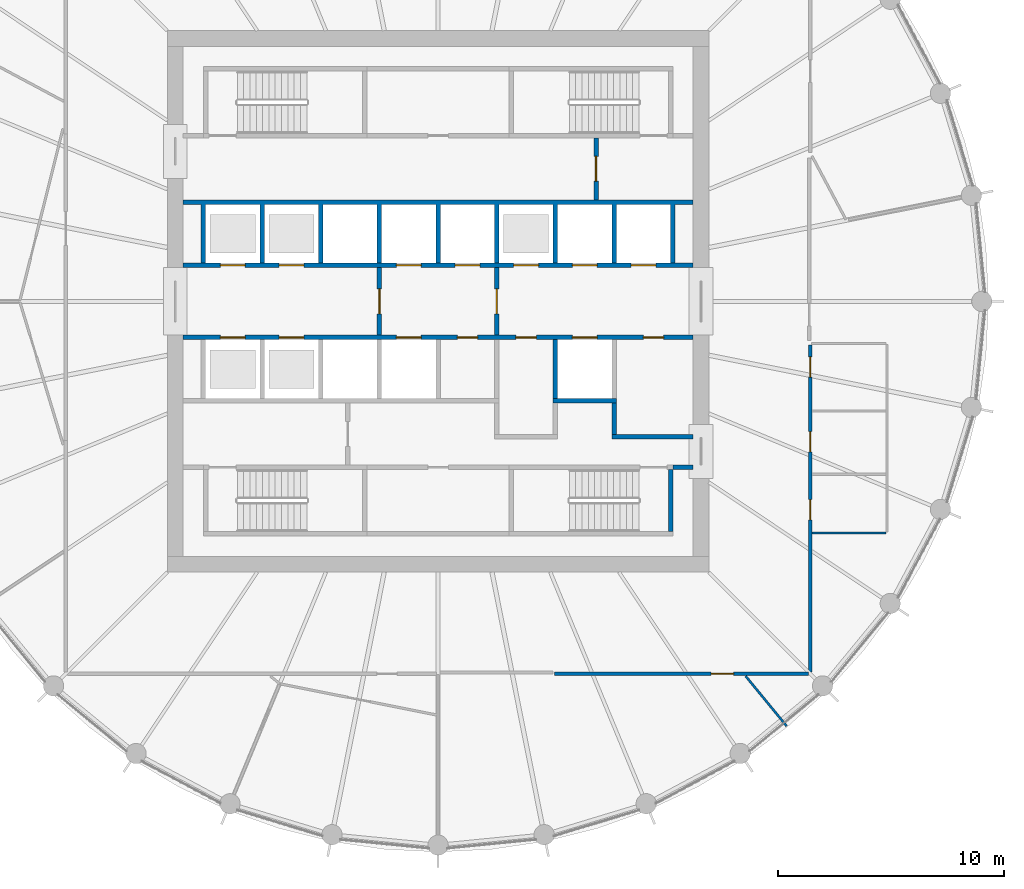
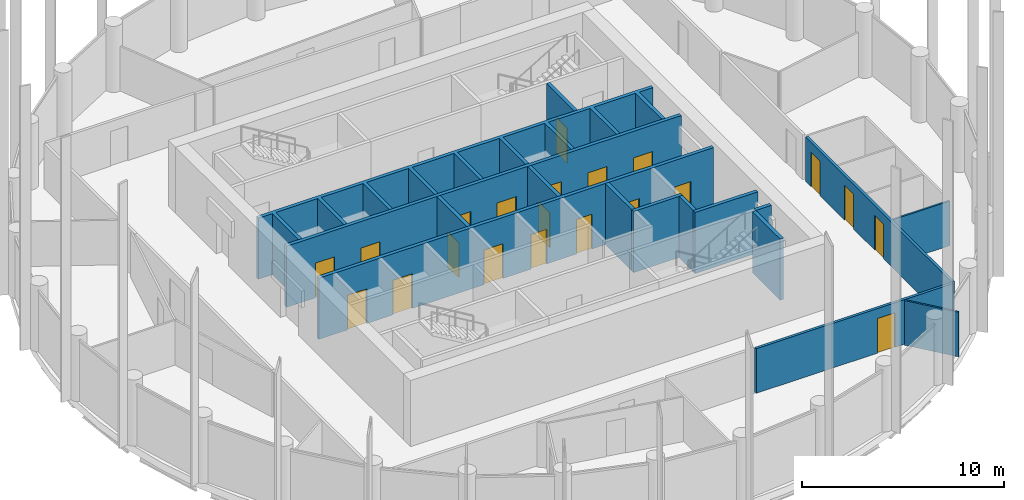
# One storey, part 5 of 9: 21 doors, 16 walls, 21 openings.
"""IFC4 building model written with IfcOpenShell, lengths in metres."""

import ifcopenshell
import ifcopenshell.guid

model = None  # the IFC model being written
_history = None  # IfcOwnerHistory: only IFC2X3 demands one
_inside = {}  # id of a spatial element -> (the spatial element, [elements in it])
_under = {}  # id of a project, library or spatial element -> (it, [spatial elements below it])
_declared = {}  # id of a project -> (the project, [libraries it declares])
_typed = {}  # id of a type object -> (the type object, [elements of that type])
_made_of = {}  # id of a material, layer set ... -> (it, [elements and type objects made of it])


def new_model(schema):
    """Start an empty IFC model of exactly this schema.

    Asked for "IFC4X3", IfcOpenShell would pick the latest addendum, in which some entities
    have other attributes; the version numbers below select the first issue.
    IFC2X3 requires an IfcOwnerHistory on every rooted entity: one is made here for all.
    """
    global model, _history
    if schema == "IFC4X3":
        model = ifcopenshell.file(schema_version=(4, 3, 0, 0))
    else:
        model = ifcopenshell.file(schema=schema)
    _inside.clear()
    _under.clear()
    _declared.clear()
    _typed.clear()
    _made_of.clear()
    _history = None
    if model.schema == "IFC2X3":
        org = make("IfcOrganization", Name="unknown")
        user = make(
            "IfcPersonAndOrganization",
            ThePerson=make("IfcPerson", FamilyName="unknown"),
            TheOrganization=org,
        )
        app = make(
            "IfcApplication",
            ApplicationDeveloper=org,
            Version="unknown",
            ApplicationFullName="unknown",
            ApplicationIdentifier="unknown",
        )
        _history = make(
            "IfcOwnerHistory",
            OwningUser=user,
            OwningApplication=app,
            ChangeAction="ADDED",
            CreationDate=0,
        )
    return model


def make(cls, **values):
    """One entity of the class cls with the attributes given. An attribute that is None is left unset."""
    return model.create_entity(
        cls, **{name: value for name, value in values.items() if value is not None}
    )


def rooted(cls, **values):
    """An entity with a GlobalId (a new one), such as an element, a storey or a relation."""
    return make(cls, GlobalId=ifcopenshell.guid.new(), OwnerHistory=_history, **values)


def si_unit(unit_type, name, prefix=None):
    """IfcSIUnit, for example si_unit("LENGTHUNIT", "METRE", prefix="MILLI")."""
    return make("IfcSIUnit", UnitType=unit_type, Prefix=prefix, Name=name)


def assignment(units):
    """IfcUnitAssignment: the units of a project."""
    return None if units is None else make("IfcUnitAssignment", Units=units)


def point(xyz):
    """IfcCartesianPoint."""
    return None if xyz is None else make("IfcCartesianPoint", Coordinates=xyz)


def direction(xyz):
    """IfcDirection."""
    return None if xyz is None else make("IfcDirection", DirectionRatios=xyz)


def frame(location, z_axis=None, x_axis=None):
    """IfcAxis2Placement3D, a coordinate frame: its origin and axes. An axis left out is left unset."""
    return make(
        "IfcAxis2Placement3D",
        Location=point(location),
        Axis=direction(z_axis),
        RefDirection=direction(x_axis),
    )


def frame_2d(location, x_axis=None):
    """IfcAxis2Placement2D, a coordinate frame in the plane: its origin and x axis."""
    return make(
        "IfcAxis2Placement2D", Location=point(location), RefDirection=direction(x_axis)
    )


def origin():
    """The frame at (0, 0, 0) with its axes left unset."""
    return frame((0.0, 0.0, 0.0))


def place(relative_to, where):
    """IfcLocalPlacement: puts the frame where relative to a parent placement (None: the world)."""
    return make(
        "IfcLocalPlacement", PlacementRelTo=relative_to, RelativePlacement=where
    )


def context(
    kind, dimensions, precision=None, world=None, true_north=None, identifier=None
):
    """IfcGeometricRepresentationContext, for example the 3D "Model" context."""
    return make(
        "IfcGeometricRepresentationContext",
        ContextIdentifier=identifier,
        ContextType=kind,
        CoordinateSpaceDimension=dimensions,
        Precision=precision,
        WorldCoordinateSystem=world,
        TrueNorth=true_north,
    )


def subcontext(parent, identifier, kind, view, scale=None):
    """IfcGeometricRepresentationSubContext, for example "Body" below "Model"."""
    return make(
        "IfcGeometricRepresentationSubContext",
        ContextIdentifier=identifier,
        ContextType=kind,
        ParentContext=parent,
        TargetScale=scale,
        TargetView=view,
    )


def project(units=None, contexts=None):
    """IfcProject with its units and contexts."""
    return rooted(
        "IfcProject",
        Name="project",
        RepresentationContexts=contexts,
        UnitsInContext=assignment(units),
    )


def spatial(cls, under=None, at=None, **own):
    """A site, building, storey or space (cls), placed at a placement, below another one or the project."""
    s = rooted(cls, ObjectPlacement=at, **own)
    if under is not None:
        _under.setdefault(under.id(), (under, []))[1].append(s)
    return s


def polyline(points):
    """IfcPolyline through the points."""
    return make("IfcPolyline", Points=[point(p) for p in points])


def profile(cls, at=None, kind="AREA", **sizes):
    """A parametric profile (cls). Its sizes go by their IFC names, for example OverallWidth=200.0."""
    return make(cls, ProfileType=kind, Position=at, **sizes)


def rectangle(**sizes):
    """IfcRectangleProfileDef."""
    return profile("IfcRectangleProfileDef", **sizes)


def outline(outer, holes=None, kind="AREA"):
    """IfcArbitraryClosedProfileDef: a profile drawn as a closed curve; with holes, ...WithVoids."""
    if holes is None:
        return make("IfcArbitraryClosedProfileDef", ProfileType=kind, OuterCurve=outer)
    return make(
        "IfcArbitraryProfileDefWithVoids",
        ProfileType=kind,
        OuterCurve=outer,
        InnerCurves=holes,
    )


def extrude(swept, where, along, depth):
    """IfcExtrudedAreaSolid: the profile swept, set in the frame where, extruded along a direction by depth."""
    return make(
        "IfcExtrudedAreaSolid",
        SweptArea=swept,
        Position=where,
        ExtrudedDirection=direction(along),
        Depth=depth,
    )


def shape(context_of_items, identifier, shape_type, items):
    """IfcShapeRepresentation: the items that make up one representation, for example the "Body"."""
    return make(
        "IfcShapeRepresentation",
        ContextOfItems=context_of_items,
        RepresentationIdentifier=identifier,
        RepresentationType=shape_type,
        Items=items,
    )


def material(Name=None, Category=None):
    """IfcMaterial."""
    return make("IfcMaterial", Name=Name, Category=Category)


def layer(
    of_material, thickness, ventilated=None, Name=None, Category=None, Priority=None
):
    """IfcMaterialLayer: one layer of a wall or slab, of a material (None: an air gap)."""
    return make(
        "IfcMaterialLayer",
        Material=of_material,
        LayerThickness=thickness,
        IsVentilated=ventilated,
        Name=Name,
        Category=Category,
        Priority=Priority,
    )


def layer_set(layers, Name=None):
    """IfcMaterialLayerSet."""
    return make("IfcMaterialLayerSet", MaterialLayers=layers, LayerSetName=Name)


def made_of(thing, what):
    """Note that an element or type object is made of a material, layer set ...; save() writes the relation."""
    if what is not None:
        _made_of.setdefault(what.id(), (what, []))[1].append(thing)
    return thing


def type_object(cls, material=None, **own):
    """A type object (cls), such as IfcWallType, which elements share."""
    return made_of(rooted(cls, **own), material)


def element(
    cls,
    number,
    at=None,
    inside=None,
    cuts=None,
    type_object=None,
    material=None,
    context=None,
    identifier="Body",
    shape_type=None,
    held_by="IfcProductDefinitionShape",
    body=None,
    shapes=None,
    **own,
):
    """One element of the class cls, such as IfcWall. Its Tag is "e" and its number.

    at: its placement. inside: the storey or other place that contains it. cuts: it is an
    opening in that element (IfcRelVoidsElement). A single representation is given by context,
    identifier, shape_type and body (its items); several are given by shapes. held_by: the class
    of the entity that holds the representations. save() writes the other relations.
    """
    e = rooted(cls, Tag="e%d" % number, ObjectPlacement=at, **own)
    if body is not None:
        shapes = [shape(context, identifier, shape_type, body)]
    if shapes is not None:
        e.Representation = make(held_by, Representations=shapes)
    if inside is not None:
        _inside.setdefault(inside.id(), (inside, []))[1].append(e)
    if cuts is not None:
        rooted(
            "IfcRelVoidsElement", RelatingBuildingElement=cuts, RelatedOpeningElement=e
        )
    if type_object is not None:
        _typed.setdefault(type_object.id(), (type_object, []))[1].append(e)
    return made_of(e, material)


def fill(opening, filler):
    """IfcRelFillsElement: the door or window that sits in an opening."""
    return rooted(
        "IfcRelFillsElement",
        RelatingOpeningElement=opening,
        RelatedBuildingElement=filler,
    )


def aggregate(whole, parts):
    """IfcRelAggregates: a whole, such as a stair, and the parts it consists of."""
    return rooted("IfcRelAggregates", RelatingObject=whole, RelatedObjects=parts)


def save(model, path):
    """Write the relations noted so far, then the file.

    IfcRelAggregates (storeys below a building ...), IfcRelContainedInSpatialStructure (elements
    in a storey), IfcRelDefinesByType, IfcRelAssociatesMaterial and IfcRelDeclares: one each for
    every whole, place, type object, material and project.
    """
    for whole, parts in _under.values():
        aggregate(whole, parts)
    for where, things in _inside.values():
        rooted(
            "IfcRelContainedInSpatialStructure",
            RelatedElements=things,
            RelatingStructure=where,
        )
    for kind, things in _typed.values():
        rooted("IfcRelDefinesByType", RelatedObjects=things, RelatingType=kind)
    for what, things in _made_of.values():
        rooted("IfcRelAssociatesMaterial", RelatedObjects=things, RelatingMaterial=what)
    for by, libraries in _declared.values():
        rooted("IfcRelDeclares", RelatingContext=by, RelatedDefinitions=libraries)
    model.write(path)


model = new_model("IFC4")

# Units and contexts
model_context = context("Model", 3, precision=1e-05, world=origin(), true_north=direction((0.0, 1.0)))
body_context = subcontext(model_context, "Body", "Model", "MODEL_VIEW")
ifc_project = project(units=[si_unit("LENGTHUNIT", "METRE"), si_unit("AREAUNIT", "SQUARE_METRE"), si_unit("VOLUMEUNIT", "CUBIC_METRE"), si_unit("PLANEANGLEUNIT", "RADIAN"), si_unit("MASSUNIT", "GRAM", prefix="KILO")], contexts=[model_context])

# Site, building, storey
site_placement = place(None, origin())
site = spatial("IfcSite", under=ifc_project, at=site_placement, CompositionType="ELEMENT")
building_placement = place(site_placement, origin())
building = spatial("IfcBuilding", under=site, at=building_placement, Name="Corvane Civic Tower", CompositionType="ELEMENT")
storey_placement = place(building_placement, frame((0.0, 0.0, 263.0)))
storey = spatial("IfcBuildingStorey", under=building, at=storey_placement, Name="L62", CompositionType="ELEMENT", Elevation=263.0)

# Wall, openings, doors
ifc_material_1 = material(Name="Concrete C30/37", Category="concrete")
ifc_layer_1 = layer(ifc_material_1, 0.199951171875)
ifc_layer_set_1 = layer_set([ifc_layer_1], Name="Concrete C30/37")
wall_type_1 = type_object("IfcWallType", Name="CR-WALL-200", PredefinedType="PARTITIONING", material=ifc_layer_set_1)
wall_1_placement = place(storey_placement, frame((-11.300048828125, -1.60009765625, 0.0), z_axis=(0.0, 0.0, 1.0), x_axis=(1.0, 0.0, 0.0)))
wall_1 = element("IfcWall", 1, at=wall_1_placement, inside=storey, type_object=wall_type_1, Name="L62 lift shaft wall", PredefinedType="PARTITIONING", context=body_context, shape_type="SweptSolid", body=[
    extrude(rectangle(XDim=22.60009765625, YDim=0.199951171875, at=frame_2d((11.300048828125, 0.0))), origin(), (0.0, 0.0, 1.0), 3.699951171875),
])
opening_1_placement = place(wall_1_placement, frame((1.64990234375, 0.0, 0.0)))
opening_1 = element("IfcOpeningElement", 2, at=opening_1_placement, cuts=wall_1, Name="Opening LD", PredefinedType="OPENING", context=body_context, shape_type="SweptSolid", body=[
    extrude(rectangle(XDim=1.10009765625, YDim=2.10009765625, at=frame_2d((0.550048828125, 1.050048828125))), frame((0.0, 0.10986328125, 0.0), z_axis=(0.0, -1.0, 0.0), x_axis=(1.0, 0.0, 0.0)), (0.0, 0.0, 1.0), 0.219970703125),
])
opening_2_placement = place(wall_1_placement, frame((4.25, 0.0, 0.0)))
opening_2 = element("IfcOpeningElement", 3, at=opening_2_placement, cuts=wall_1, Name="Opening LD", PredefinedType="OPENING", context=body_context, shape_type="SweptSolid", body=[
    extrude(rectangle(XDim=1.10009765625, YDim=2.10009765625, at=frame_2d((0.550048828125, 1.050048828125))), frame((0.0, 0.10986328125, 0.0), z_axis=(0.0, -1.0, 0.0), x_axis=(1.0, 0.0, 0.0)), (0.0, 0.0, 1.0), 0.219970703125),
])
opening_3_placement = place(wall_1_placement, frame((9.449951171875, 0.0, 0.0)))
opening_3 = element("IfcOpeningElement", 4, at=opening_3_placement, cuts=wall_1, Name="Opening LD", PredefinedType="OPENING", context=body_context, shape_type="SweptSolid", body=[
    extrude(rectangle(XDim=1.10009765625, YDim=2.10009765625, at=frame_2d((0.550048828125, 1.050048828125))), frame((0.0, 0.10986328125, 0.0), z_axis=(0.0, -1.0, 0.0), x_axis=(1.0, 0.0, 0.0)), (0.0, 0.0, 1.0), 0.219970703125),
])
opening_4_placement = place(wall_1_placement, frame((12.14990234375, 0.0, 0.0)))
opening_4 = element("IfcOpeningElement", 5, at=opening_4_placement, cuts=wall_1, Name="Opening L62.C01", PredefinedType="OPENING", context=body_context, shape_type="SweptSolid", body=[
    extrude(rectangle(XDim=0.89990234375, YDim=2.10009765625, at=frame_2d((0.449951171875, 1.050048828125))), frame((0.0, 0.10986328125, 0.0), z_axis=(0.0, -1.0, 0.0), x_axis=(1.0, 0.0, 0.0)), (0.0, 0.0, 1.0), 0.219970703125),
])
opening_5_placement = place(wall_1_placement, frame((17.25, 0.0, 0.0)))
opening_5 = element("IfcOpeningElement", 6, at=opening_5_placement, cuts=wall_1, Name="Opening LD", PredefinedType="OPENING", context=body_context, shape_type="SweptSolid", body=[
    extrude(rectangle(XDim=1.10009765625, YDim=2.10009765625, at=frame_2d((0.550048828125, 1.050048828125))), frame((0.0, 0.10986328125, 0.0), z_axis=(0.0, -1.0, 0.0), x_axis=(1.0, 0.0, 0.0)), (0.0, 0.0, 1.0), 0.219970703125),
])
opening_6_placement = place(wall_1_placement, frame((14.75, 0.0, 0.0)))
opening_6 = element("IfcOpeningElement", 7, at=opening_6_placement, cuts=wall_1, Name="Opening L62.C02", PredefinedType="OPENING", context=body_context, shape_type="SweptSolid", body=[
    extrude(rectangle(XDim=0.89990234375, YDim=2.10009765625, at=frame_2d((0.449951171875, 1.050048828125))), frame((0.0, 0.10986328125, 0.0), z_axis=(0.0, -1.0, 0.0), x_axis=(1.0, 0.0, 0.0)), (0.0, 0.0, 1.0), 0.219970703125),
])
opening_7_placement = place(wall_1_placement, frame((20.39990234375, 0.0, 0.0)))
opening_7 = element("IfcOpeningElement", 8, at=opening_7_placement, cuts=wall_1, Name="Opening L62.C03", PredefinedType="OPENING", context=body_context, shape_type="SweptSolid", body=[
    extrude(rectangle(XDim=0.89990234375, YDim=2.10009765625, at=frame_2d((0.449951171875, 1.050048828125))), frame((0.0, 0.10986328125, 0.0), z_axis=(0.0, -1.0, 0.0), x_axis=(1.0, 0.0, 0.0)), (0.0, 0.0, 1.0), 0.219970703125),
])
ifc_material_2 = material(Name="Steel fire door leaf", Category="steel")
door_type_1 = type_object("IfcDoorType", Name="CR-DOOR-900", OperationType="SINGLE_SWING_LEFT", PredefinedType="DOOR", material=ifc_material_2)
door_1_placement = place(opening_4_placement, origin())
door_1 = element("IfcDoor", 9, at=door_1_placement, inside=storey, type_object=door_type_1, Name="L62 door", OperationType="SINGLE_SWING_LEFT", OverallHeight=2.10009765625, OverallWidth=0.89990234375, PredefinedType="DOOR", context=body_context, shape_type="SweptSolid", body=[
    extrude(rectangle(XDim=0.89990234375, YDim=2.10009765625, at=frame_2d((0.449951171875, 1.050048828125))), frame((0.0, 0.02490234375, 0.0), z_axis=(0.0, -1.0, 0.0), x_axis=(1.0, 0.0, 0.0)), (0.0, 0.0, 1.0), 0.050048828125),
])
fill(opening_4, door_1)
door_2_placement = place(opening_6_placement, origin())
door_2 = element("IfcDoor", 10, at=door_2_placement, inside=storey, type_object=door_type_1, Name="L62 door", OperationType="SINGLE_SWING_LEFT", OverallHeight=2.10009765625, OverallWidth=0.89990234375, PredefinedType="DOOR", context=body_context, shape_type="SweptSolid", body=[
    extrude(rectangle(XDim=0.89990234375, YDim=2.10009765625, at=frame_2d((0.449951171875, 1.050048828125))), frame((0.0, 0.02490234375, 0.0), z_axis=(0.0, -1.0, 0.0), x_axis=(1.0, 0.0, 0.0)), (0.0, 0.0, 1.0), 0.050048828125),
])
fill(opening_6, door_2)
door_3_placement = place(opening_7_placement, origin())
door_3 = element("IfcDoor", 11, at=door_3_placement, inside=storey, type_object=door_type_1, Name="L62 door", OperationType="SINGLE_SWING_LEFT", OverallHeight=2.10009765625, OverallWidth=0.89990234375, PredefinedType="DOOR", context=body_context, shape_type="SweptSolid", body=[
    extrude(rectangle(XDim=0.89990234375, YDim=2.10009765625, at=frame_2d((0.449951171875, 1.050048828125))), frame((0.0, 0.02490234375, 0.0), z_axis=(0.0, -1.0, 0.0), x_axis=(1.0, 0.0, 0.0)), (0.0, 0.0, 1.0), 0.050048828125),
])
fill(opening_7, door_3)
ifc_material_3 = material(Name="Stainless steel 316 door leaves", Category="steel")
door_type_2 = type_object("IfcDoorType", Name="LD", OperationType="DOUBLE_DOOR_SLIDING", PredefinedType="DOOR", material=ifc_material_3)
door_4_placement = place(opening_1_placement, origin())
door_4 = element("IfcDoor", 12, at=door_4_placement, inside=storey, type_object=door_type_2, Name="L62 landing door", OperationType="DOUBLE_DOOR_SLIDING", OverallHeight=2.10009765625, OverallWidth=1.10009765625, PredefinedType="DOOR", context=body_context, shape_type="SweptSolid", body=[
    extrude(rectangle(XDim=1.10009765625, YDim=2.10009765625, at=frame_2d((0.550048828125, 1.050048828125))), frame((0.0, 0.02490234375, 0.0), z_axis=(0.0, -1.0, 0.0), x_axis=(1.0, 0.0, 0.0)), (0.0, 0.0, 1.0), 0.050048828125),
])
fill(opening_1, door_4)
door_5_placement = place(opening_2_placement, origin())
door_5 = element("IfcDoor", 13, at=door_5_placement, inside=storey, type_object=door_type_2, Name="L62 landing door", OperationType="DOUBLE_DOOR_SLIDING", OverallHeight=2.10009765625, OverallWidth=1.10009765625, PredefinedType="DOOR", context=body_context, shape_type="SweptSolid", body=[
    extrude(rectangle(XDim=1.10009765625, YDim=2.10009765625, at=frame_2d((0.550048828125, 1.050048828125))), frame((0.0, 0.02490234375, 0.0), z_axis=(0.0, -1.0, 0.0), x_axis=(1.0, 0.0, 0.0)), (0.0, 0.0, 1.0), 0.050048828125),
])
fill(opening_2, door_5)
door_6_placement = place(opening_3_placement, origin())
door_6 = element("IfcDoor", 14, at=door_6_placement, inside=storey, type_object=door_type_2, Name="L62 landing door", OperationType="DOUBLE_DOOR_SLIDING", OverallHeight=2.10009765625, OverallWidth=1.10009765625, PredefinedType="DOOR", context=body_context, shape_type="SweptSolid", body=[
    extrude(rectangle(XDim=1.10009765625, YDim=2.10009765625, at=frame_2d((0.550048828125, 1.050048828125))), frame((0.0, 0.02490234375, 0.0), z_axis=(0.0, -1.0, 0.0), x_axis=(1.0, 0.0, 0.0)), (0.0, 0.0, 1.0), 0.050048828125),
])
fill(opening_3, door_6)
door_7_placement = place(opening_5_placement, origin())
door_7 = element("IfcDoor", 15, at=door_7_placement, inside=storey, type_object=door_type_2, Name="L62 landing door", OperationType="DOUBLE_DOOR_SLIDING", OverallHeight=2.10009765625, OverallWidth=1.10009765625, PredefinedType="DOOR", context=body_context, shape_type="SweptSolid", body=[
    extrude(rectangle(XDim=1.10009765625, YDim=2.10009765625, at=frame_2d((0.550048828125, 1.050048828125))), frame((0.0, 0.02490234375, 0.0), z_axis=(0.0, -1.0, 0.0), x_axis=(1.0, 0.0, 0.0)), (0.0, 0.0, 1.0), 0.050048828125),
])
fill(opening_5, door_7)

wall_2_placement = place(storey_placement, frame((-11.300048828125, 1.60009765625, 0.0), z_axis=(0.0, 0.0, 1.0), x_axis=(1.0, 0.0, 0.0)))
wall_2 = element("IfcWall", 16, at=wall_2_placement, inside=storey, type_object=wall_type_1, Name="L62 lift shaft wall", PredefinedType="PARTITIONING", context=body_context, shape_type="SweptSolid", body=[
    extrude(rectangle(XDim=22.60009765625, YDim=0.199951171875, at=frame_2d((11.300048828125, 0.0))), origin(), (0.0, 0.0, 1.0), 3.699951171875),
])
opening_8_placement = place(wall_2_placement, frame((1.64990234375, 0.0, 0.0)))
opening_8 = element("IfcOpeningElement", 17, at=opening_8_placement, cuts=wall_2, Name="Opening LD", PredefinedType="OPENING", context=body_context, shape_type="SweptSolid", body=[
    extrude(rectangle(XDim=1.10009765625, YDim=2.10009765625, at=frame_2d((0.550048828125, 1.050048828125))), frame((0.0, 0.10986328125, 0.0), z_axis=(0.0, -1.0, 0.0), x_axis=(1.0, 0.0, 0.0)), (0.0, 0.0, 1.0), 0.219970703125),
])
opening_9_placement = place(wall_2_placement, frame((4.25, 0.0, 0.0)))
opening_9 = element("IfcOpeningElement", 18, at=opening_9_placement, cuts=wall_2, Name="Opening LD", PredefinedType="OPENING", context=body_context, shape_type="SweptSolid", body=[
    extrude(rectangle(XDim=1.10009765625, YDim=2.10009765625, at=frame_2d((0.550048828125, 1.050048828125))), frame((0.0, 0.10986328125, 0.0), z_axis=(0.0, -1.0, 0.0), x_axis=(1.0, 0.0, 0.0)), (0.0, 0.0, 1.0), 0.219970703125),
])
opening_10_placement = place(wall_2_placement, frame((9.449951171875, 0.0, 0.0)))
opening_10 = element("IfcOpeningElement", 19, at=opening_10_placement, cuts=wall_2, Name="Opening LD", PredefinedType="OPENING", context=body_context, shape_type="SweptSolid", body=[
    extrude(rectangle(XDim=1.10009765625, YDim=2.10009765625, at=frame_2d((0.550048828125, 1.050048828125))), frame((0.0, 0.10986328125, 0.0), z_axis=(0.0, -1.0, 0.0), x_axis=(1.0, 0.0, 0.0)), (0.0, 0.0, 1.0), 0.219970703125),
])
opening_11_placement = place(wall_2_placement, frame((12.050048828125, 0.0, 0.0)))
opening_11 = element("IfcOpeningElement", 20, at=opening_11_placement, cuts=wall_2, Name="Opening LD", PredefinedType="OPENING", context=body_context, shape_type="SweptSolid", body=[
    extrude(rectangle(XDim=1.10009765625, YDim=2.10009765625, at=frame_2d((0.550048828125, 1.050048828125))), frame((0.0, 0.10986328125, 0.0), z_axis=(0.0, -1.0, 0.0), x_axis=(1.0, 0.0, 0.0)), (0.0, 0.0, 1.0), 0.219970703125),
])
opening_12_placement = place(wall_2_placement, frame((14.64990234375, 0.0, 0.0)))
opening_12 = element("IfcOpeningElement", 21, at=opening_12_placement, cuts=wall_2, Name="Opening LD", PredefinedType="OPENING", context=body_context, shape_type="SweptSolid", body=[
    extrude(rectangle(XDim=1.10009765625, YDim=2.10009765625, at=frame_2d((0.550048828125, 1.050048828125))), frame((0.0, 0.10986328125, 0.0), z_axis=(0.0, -1.0, 0.0), x_axis=(1.0, 0.0, 0.0)), (0.0, 0.0, 1.0), 0.219970703125),
])
opening_13_placement = place(wall_2_placement, frame((17.25, 0.0, 0.0)))
opening_13 = element("IfcOpeningElement", 22, at=opening_13_placement, cuts=wall_2, Name="Opening LD", PredefinedType="OPENING", context=body_context, shape_type="SweptSolid", body=[
    extrude(rectangle(XDim=1.10009765625, YDim=2.10009765625, at=frame_2d((0.550048828125, 1.050048828125))), frame((0.0, 0.10986328125, 0.0), z_axis=(0.0, -1.0, 0.0), x_axis=(1.0, 0.0, 0.0)), (0.0, 0.0, 1.0), 0.219970703125),
])
opening_14_placement = place(wall_2_placement, frame((19.85009765625, 0.0, 0.0)))
opening_14 = element("IfcOpeningElement", 23, at=opening_14_placement, cuts=wall_2, Name="Opening LD", PredefinedType="OPENING", context=body_context, shape_type="SweptSolid", body=[
    extrude(rectangle(XDim=1.10009765625, YDim=2.10009765625, at=frame_2d((0.550048828125, 1.050048828125))), frame((0.0, 0.10986328125, 0.0), z_axis=(0.0, -1.0, 0.0), x_axis=(1.0, 0.0, 0.0)), (0.0, 0.0, 1.0), 0.219970703125),
])
door_8_placement = place(opening_8_placement, origin())
door_8 = element("IfcDoor", 24, at=door_8_placement, inside=storey, type_object=door_type_2, Name="L62 landing door", OperationType="DOUBLE_DOOR_SLIDING", OverallHeight=2.10009765625, OverallWidth=1.10009765625, PredefinedType="DOOR", context=body_context, shape_type="SweptSolid", body=[
    extrude(rectangle(XDim=1.10009765625, YDim=2.10009765625, at=frame_2d((0.550048828125, 1.050048828125))), frame((0.0, 0.02490234375, 0.0), z_axis=(0.0, -1.0, 0.0), x_axis=(1.0, 0.0, 0.0)), (0.0, 0.0, 1.0), 0.050048828125),
])
fill(opening_8, door_8)
door_9_placement = place(opening_9_placement, origin())
door_9 = element("IfcDoor", 25, at=door_9_placement, inside=storey, type_object=door_type_2, Name="L62 landing door", OperationType="DOUBLE_DOOR_SLIDING", OverallHeight=2.10009765625, OverallWidth=1.10009765625, PredefinedType="DOOR", context=body_context, shape_type="SweptSolid", body=[
    extrude(rectangle(XDim=1.10009765625, YDim=2.10009765625, at=frame_2d((0.550048828125, 1.050048828125))), frame((0.0, 0.02490234375, 0.0), z_axis=(0.0, -1.0, 0.0), x_axis=(1.0, 0.0, 0.0)), (0.0, 0.0, 1.0), 0.050048828125),
])
fill(opening_9, door_9)
door_10_placement = place(opening_10_placement, origin())
door_10 = element("IfcDoor", 26, at=door_10_placement, inside=storey, type_object=door_type_2, Name="L62 landing door", OperationType="DOUBLE_DOOR_SLIDING", OverallHeight=2.10009765625, OverallWidth=1.10009765625, PredefinedType="DOOR", context=body_context, shape_type="SweptSolid", body=[
    extrude(rectangle(XDim=1.10009765625, YDim=2.10009765625, at=frame_2d((0.550048828125, 1.050048828125))), frame((0.0, 0.02490234375, 0.0), z_axis=(0.0, -1.0, 0.0), x_axis=(1.0, 0.0, 0.0)), (0.0, 0.0, 1.0), 0.050048828125),
])
fill(opening_10, door_10)
door_11_placement = place(opening_11_placement, origin())
door_11 = element("IfcDoor", 27, at=door_11_placement, inside=storey, type_object=door_type_2, Name="L62 landing door", OperationType="DOUBLE_DOOR_SLIDING", OverallHeight=2.10009765625, OverallWidth=1.10009765625, PredefinedType="DOOR", context=body_context, shape_type="SweptSolid", body=[
    extrude(rectangle(XDim=1.10009765625, YDim=2.10009765625, at=frame_2d((0.550048828125, 1.050048828125))), frame((0.0, 0.02490234375, 0.0), z_axis=(0.0, -1.0, 0.0), x_axis=(1.0, 0.0, 0.0)), (0.0, 0.0, 1.0), 0.050048828125),
])
fill(opening_11, door_11)
door_12_placement = place(opening_12_placement, origin())
door_12 = element("IfcDoor", 28, at=door_12_placement, inside=storey, type_object=door_type_2, Name="L62 landing door", OperationType="DOUBLE_DOOR_SLIDING", OverallHeight=2.10009765625, OverallWidth=1.10009765625, PredefinedType="DOOR", context=body_context, shape_type="SweptSolid", body=[
    extrude(rectangle(XDim=1.10009765625, YDim=2.10009765625, at=frame_2d((0.550048828125, 1.050048828125))), frame((0.0, 0.02490234375, 0.0), z_axis=(0.0, -1.0, 0.0), x_axis=(1.0, 0.0, 0.0)), (0.0, 0.0, 1.0), 0.050048828125),
])
fill(opening_12, door_12)
door_13_placement = place(opening_13_placement, origin())
door_13 = element("IfcDoor", 29, at=door_13_placement, inside=storey, type_object=door_type_2, Name="L62 landing door", OperationType="DOUBLE_DOOR_SLIDING", OverallHeight=2.10009765625, OverallWidth=1.10009765625, PredefinedType="DOOR", context=body_context, shape_type="SweptSolid", body=[
    extrude(rectangle(XDim=1.10009765625, YDim=2.10009765625, at=frame_2d((0.550048828125, 1.050048828125))), frame((0.0, 0.02490234375, 0.0), z_axis=(0.0, -1.0, 0.0), x_axis=(1.0, 0.0, 0.0)), (0.0, 0.0, 1.0), 0.050048828125),
])
fill(opening_13, door_13)
door_14_placement = place(opening_14_placement, origin())
door_14 = element("IfcDoor", 30, at=door_14_placement, inside=storey, type_object=door_type_2, Name="L62 landing door", OperationType="DOUBLE_DOOR_SLIDING", OverallHeight=2.10009765625, OverallWidth=1.10009765625, PredefinedType="DOOR", context=body_context, shape_type="SweptSolid", body=[
    extrude(rectangle(XDim=1.10009765625, YDim=2.10009765625, at=frame_2d((0.550048828125, 1.050048828125))), frame((0.0, 0.02490234375, 0.0), z_axis=(0.0, -1.0, 0.0), x_axis=(1.0, 0.0, 0.0)), (0.0, 0.0, 1.0), 0.050048828125),
])
fill(opening_14, door_14)

# Wall, opening, door
wall_3_placement = place(storey_placement, frame((-2.60009765625, -1.5, 0.0), z_axis=(0.0, 0.0, 1.0), x_axis=(0.0, 1.0, 0.0)))
wall_3 = element("IfcWall", 31, at=wall_3_placement, inside=storey, type_object=wall_type_1, Name="L62 firefighting lobby wall", PredefinedType="PARTITIONING", context=body_context, shape_type="SweptSolid", body=[
    extrude(rectangle(XDim=3.0, YDim=0.199951171875, at=frame_2d((1.5, 0.0))), origin(), (0.0, 0.0, 1.0), 3.699951171875),
])
opening_15_placement = place(wall_3_placement, frame((0.949951171875, 0.0, 0.0)))
opening_15 = element("IfcOpeningElement", 32, at=opening_15_placement, cuts=wall_3, Name="Opening L62.C10", PredefinedType="OPENING", context=body_context, shape_type="SweptSolid", body=[
    extrude(rectangle(XDim=1.10009765625, YDim=2.10009765625, at=frame_2d((0.550048828125, 1.050048828125))), frame((0.0, 0.10986328125, 0.0), z_axis=(0.0, -1.0, 0.0), x_axis=(1.0, 0.0, 0.0)), (0.0, 0.0, 1.0), 0.219970703125),
])
ifc_material_4 = material(Name="Steel fire door leaf", Category="steel")
door_type_3 = type_object("IfcDoorType", Name="CR-DOOR-FFL-1100", OperationType="SINGLE_SWING_LEFT", PredefinedType="DOOR", material=ifc_material_4)
door_15_placement = place(opening_15_placement, origin())
door_15 = element("IfcDoor", 33, at=door_15_placement, inside=storey, type_object=door_type_3, Name="L62 lobby door", OperationType="SINGLE_SWING_LEFT", OverallHeight=2.10009765625, OverallWidth=1.10009765625, PredefinedType="DOOR", context=body_context, shape_type="SweptSolid", body=[
    extrude(rectangle(XDim=1.10009765625, YDim=2.10009765625, at=frame_2d((0.550048828125, 1.050048828125))), frame((0.0, 0.02490234375, 0.0), z_axis=(0.0, -1.0, 0.0), x_axis=(1.0, 0.0, 0.0)), (0.0, 0.0, 1.0), 0.050048828125),
])
fill(opening_15, door_15)

wall_4_placement = place(storey_placement, frame((2.60009765625, -1.5, 0.0), z_axis=(0.0, 0.0, 1.0), x_axis=(0.0, 1.0, 0.0)))
wall_4 = element("IfcWall", 34, at=wall_4_placement, inside=storey, type_object=wall_type_1, Name="L62 firefighting lobby wall", PredefinedType="PARTITIONING", context=body_context, shape_type="SweptSolid", body=[
    extrude(rectangle(XDim=3.0, YDim=0.199951171875, at=frame_2d((1.5, 0.0))), origin(), (0.0, 0.0, 1.0), 3.699951171875),
])
opening_16_placement = place(wall_4_placement, frame((0.949951171875, 0.0, 0.0)))
opening_16 = element("IfcOpeningElement", 35, at=opening_16_placement, cuts=wall_4, Name="Opening L62.C11", PredefinedType="OPENING", context=body_context, shape_type="SweptSolid", body=[
    extrude(rectangle(XDim=1.10009765625, YDim=2.10009765625, at=frame_2d((0.550048828125, 1.050048828125))), frame((0.0, 0.10986328125, 0.0), z_axis=(0.0, -1.0, 0.0), x_axis=(1.0, 0.0, 0.0)), (0.0, 0.0, 1.0), 0.219970703125),
])
door_16_placement = place(opening_16_placement, origin())
door_16 = element("IfcDoor", 36, at=door_16_placement, inside=storey, type_object=door_type_3, Name="L62 lobby door", OperationType="SINGLE_SWING_LEFT", OverallHeight=2.10009765625, OverallWidth=1.10009765625, PredefinedType="DOOR", context=body_context, shape_type="SweptSolid", body=[
    extrude(rectangle(XDim=1.10009765625, YDim=2.10009765625, at=frame_2d((0.550048828125, 1.050048828125))), frame((0.0, 0.02490234375, 0.0), z_axis=(0.0, -1.0, 0.0), x_axis=(1.0, 0.0, 0.0)), (0.0, 0.0, 1.0), 0.050048828125),
])
fill(opening_16, door_16)

wall_5_placement = place(storey_placement, frame((7.0, 4.5, 0.0), z_axis=(0.0, 0.0, 1.0), x_axis=(0.0, 1.0, 0.0)))
wall_5 = element("IfcWall", 37, at=wall_5_placement, inside=storey, type_object=wall_type_1, Name="L62 core partition wall", PredefinedType="PARTITIONING", context=body_context, shape_type="SweptSolid", body=[
    extrude(rectangle(XDim=2.75, YDim=0.199951171875, at=frame_2d((1.375, 0.0))), origin(), (0.0, 0.0, 1.0), 3.699951171875),
])
opening_17_placement = place(wall_5_placement, frame((0.824951171875, 0.0, 0.0)))
opening_17 = element("IfcOpeningElement", 38, at=opening_17_placement, cuts=wall_5, Name="Opening L62.C12", PredefinedType="OPENING", context=body_context, shape_type="SweptSolid", body=[
    extrude(rectangle(XDim=1.10009765625, YDim=2.10009765625, at=frame_2d((0.550048828125, 1.050048828125))), frame((0.0, 0.10986328125, 0.0), z_axis=(0.0, -1.0, 0.0), x_axis=(1.0, 0.0, 0.0)), (0.0, 0.0, 1.0), 0.219970703125),
])
door_17_placement = place(opening_17_placement, origin())
door_17 = element("IfcDoor", 39, at=door_17_placement, inside=storey, type_object=door_type_3, Name="L62 lobby door", OperationType="SINGLE_SWING_LEFT", OverallHeight=2.10009765625, OverallWidth=1.10009765625, PredefinedType="DOOR", context=body_context, shape_type="SweptSolid", body=[
    extrude(rectangle(XDim=1.10009765625, YDim=2.10009765625, at=frame_2d((0.550048828125, 1.050048828125))), frame((0.0, 0.02490234375, 0.0), z_axis=(0.0, -1.0, 0.0), x_axis=(1.0, 0.0, 0.0)), (0.0, 0.0, 1.0), 0.050048828125),
])
fill(opening_17, door_17)

# Walls
wall_6_placement = place(storey_placement, origin())
element("IfcWall", 40, at=wall_6_placement, inside=storey, type_object=wall_type_1, Name="L62 core partition wall", PredefinedType="PARTITIONING", context=body_context, shape_type="SweptSolid", body=[
    extrude(outline(polyline([(11.300048828125, -6.10009765625), (7.699951171875, -6.10009765625), (7.699951171875, -5.89990234375), (11.300048828125, -5.89990234375), (11.300048828125, -6.10009765625)])), origin(), (0.0, 0.0, 1.0), 3.699951171875),
])
wall_7_placement = place(storey_placement, origin())
element("IfcWall", 41, at=wall_7_placement, inside=storey, type_object=wall_type_1, Name="L62 core partition wall", PredefinedType="PARTITIONING", context=body_context, shape_type="SweptSolid", body=[
    extrude(outline(polyline([(7.89990234375, -4.5), (5.10009765625, -4.5), (5.10009765625, -4.300048828125), (7.89990234375, -4.300048828125), (7.89990234375, -4.5)])), origin(), (0.0, 0.0, 1.0), 3.699951171875),
])
wall_8_placement = place(storey_placement, origin())
element("IfcWall", 42, at=wall_8_placement, inside=storey, type_object=wall_type_1, Name="L62 core partition wall", PredefinedType="PARTITIONING", context=body_context, shape_type="SweptSolid", body=[
    extrude(outline(polyline([(5.300048828125, -1.699951171875), (5.300048828125, -4.2998046875), (5.10009765625, -4.2998046875), (5.10009765625, -1.699951171875), (5.300048828125, -1.699951171875)])), origin(), (0.0, 0.0, 1.0), 3.699951171875),
])
wall_9_placement = place(storey_placement, origin())
element("IfcWall", 43, at=wall_9_placement, inside=storey, type_object=wall_type_1, Name="L62 core partition wall", PredefinedType="PARTITIONING", context=body_context, shape_type="SweptSolid", body=[
    extrude(outline(polyline([(7.89990234375, -5.89990234375), (7.699951171875, -5.89990234375), (7.699951171875, -4.5), (7.89990234375, -4.5), (7.89990234375, -5.89990234375)])), origin(), (0.0, 0.0, 1.0), 3.699951171875),
])
wall_10_placement = place(storey_placement, origin())
element("IfcWall", 44, at=wall_10_placement, inside=storey, type_object=wall_type_1, Name="L62 core partition wall", PredefinedType="PARTITIONING", context=body_context, shape_type="SweptSolid", body=[
    extrude(outline(polyline([(-10.300048828125, 1.699951171875), (-10.5, 1.699951171875), (-10.5, 4.300048828125), (-11.300048828125, 4.300048828125), (-11.300048828125, 4.5), (11.300048828125, 4.5), (11.300048828125, 4.300048828125), (10.5, 4.300048828125), (10.5, 1.699951171875), (10.300048828125, 1.699951171875), (10.300048828125, 4.300048828125), (7.89990234375, 4.300048828125), (7.89990234375, 1.699951171875), (7.699951171875, 1.699951171875), (7.699951171875, 4.300048828125), (5.300048828125, 4.300048828125), (5.300048828125, 1.699951171875), (5.10009765625, 1.699951171875), (5.10009765625, 4.300048828125), (2.699951171875, 4.300048828125), (2.699951171875, 1.699951171875), (2.5, 1.699951171875), (2.5, 4.300048828125), (0.10009765625, 4.300048828125), (0.10009765625, 1.699951171875), (-0.10009765625, 1.699951171875), (-0.10009765625, 4.300048828125), (-2.5, 4.300048828125), (-2.5, 1.699951171875), (-2.699951171875, 1.699951171875), (-2.699951171875, 4.300048828125), (-5.10009765625, 4.300048828125), (-5.10009765625, 1.699951171875), (-5.300048828125, 1.699951171875), (-5.300048828125, 4.300048828125), (-7.699951171875, 4.300048828125), (-7.699951171875, 1.699951171875), (-7.89990234375, 1.699951171875), (-7.89990234375, 4.300048828125), (-10.300048828125, 4.300048828125), (-10.300048828125, 1.699951171875)])), origin(), (0.0, 0.0, 1.0), 3.699951171875),
])
wall_11_placement = place(storey_placement, origin())
element("IfcWall", 45, at=wall_11_placement, inside=storey, type_object=wall_type_1, Name="L62 core partition wall", PredefinedType="PARTITIONING", context=body_context, shape_type="SweptSolid", body=[
    extrude(outline(polyline([(10.39990234375, -7.449951171875), (10.39990234375, -7.25), (11.300048828125, -7.25), (11.300048828125, -7.449951171875), (10.39990234375, -7.449951171875)])), origin(), (0.0, 0.0, 1.0), 3.699951171875),
])
ifc_material_5 = material(Name="Plasterboard")
ifc_layer_2 = layer(ifc_material_5, 0.10009765625)
ifc_layer_set_2 = layer_set([ifc_layer_2], Name="Plasterboard")
wall_type_2 = type_object("IfcWallType", Name="Partition 100 plasterboard on studs", PredefinedType="PARTITIONING", material=ifc_layer_set_2)
wall_12_placement = place(storey_placement, frame((13.62890625, -16.606689453125, 0.0), z_axis=(0.0, 0.0, 1.0), x_axis=(0.634336185926, -0.773057309147, 0.0)))
element("IfcWall", 46, at=wall_12_placement, inside=storey, type_object=wall_type_2, Name="Partition L62.003", PredefinedType="PARTITIONING", context=body_context, shape_type="SweptSolid", body=[
    extrude(rectangle(XDim=2.866943359375, YDim=0.10009765625, at=frame_2d((1.43359375, 0.0))), origin(), (0.0, 0.0, 1.0), 2.699951171875),
])
wall_13_placement = place(storey_placement, frame((16.574951171875, -10.261962890625, 0.0), z_axis=(0.0, 0.0, 1.0), x_axis=(1.0, 0.0, 0.0)))
element("IfcWall", 47, at=wall_13_placement, inside=storey, type_object=wall_type_2, Name="Partition L62.011", PredefinedType="PARTITIONING", context=body_context, shape_type="SweptSolid", body=[
    extrude(rectangle(XDim=3.275146484375, YDim=0.10009765625, at=frame_2d((1.6376953125, 0.0))), origin(), (0.0, 0.0, 1.0), 2.699951171875),
])
ifc_material_6 = material(Name="Concrete C50/60", Category="concrete")
ifc_layer_3 = layer(ifc_material_6, 0.199951171875)
ifc_layer_set_3 = layer_set([ifc_layer_3], Name="Concrete C50/60")
wall_type_3 = type_object("IfcWallType", Name="ST-WALL-200", PredefinedType="SHEAR", material=ifc_layer_set_3)
wall_14_placement = place(storey_placement, origin())
element("IfcWall", 48, at=wall_14_placement, inside=storey, type_object=wall_type_3, Name="L62 stair enclosure wall", PredefinedType="SHEAR", context=body_context, shape_type="SweptSolid", body=[
    extrude(outline(polyline([(10.39990234375, -7.449951171875), (10.39990234375, -10.199951171875), (10.199951171875, -10.199951171875), (10.199951171875, -7.449951171875), (10.39990234375, -7.449951171875)])), origin(), (0.0, 0.0, 1.0), 3.699951171875),
])

# Wall, opening, door
ifc_material_7 = material(Name="Plasterboard")
ifc_layer_4 = layer(ifc_material_7, 0.14990234375)
ifc_layer_set_4 = layer_set([ifc_layer_4], Name="Plasterboard")
wall_type_4 = type_object("IfcWallType", Name="Tenancy wall 150 EI 60", PredefinedType="PARTITIONING", material=ifc_layer_set_4)
wall_15_placement = place(storey_placement, frame((5.150634765625, -16.5, 0.0), z_axis=(0.0, 0.0, 1.0), x_axis=(1.0, 0.0, 0.0)))
wall_15 = element("IfcWall", 49, at=wall_15_placement, inside=storey, type_object=wall_type_4, Name="Partition L62.006", PredefinedType="PARTITIONING", context=body_context, shape_type="SweptSolid", body=[
    extrude(rectangle(XDim=11.2744140625, YDim=0.14990234375, at=frame_2d((5.63720703125, 0.0))), origin(), (0.0, 0.0, 1.0), 2.699951171875),
])
opening_18_placement = place(wall_15_placement, frame((6.947998046875, 0.0, 0.0)))
opening_18 = element("IfcOpeningElement", 50, at=opening_18_placement, cuts=wall_15, Name="Opening L62.016", PredefinedType="OPENING", context=body_context, shape_type="SweptSolid", body=[
    extrude(rectangle(XDim=1.0, YDim=2.10009765625, at=frame_2d((0.5, 1.050048828125))), frame((0.0, 0.0849609375, 0.0), z_axis=(0.0, -1.0, 0.0), x_axis=(1.0, 0.0, 0.0)), (0.0, 0.0, 1.0), 0.169921875),
])
ifc_material_8 = material(Name="Steel and timber", Category="steel")
door_type_4 = type_object("IfcDoorType", Name="Fire door FD30S 1000", OperationType="NOTDEFINED", PredefinedType="DOOR", material=ifc_material_8)
door_18_placement = place(opening_18_placement, frame((1.0, 0.0, 0.0), z_axis=(0.0, 0.0, 1.0), x_axis=(-1.0, 0.0, 0.0)))
door_18 = element("IfcDoor", 51, at=door_18_placement, inside=storey, type_object=door_type_4, Name="Door L62.016", OperationType="SINGLE_SWING_LEFT", OverallHeight=2.10009765625, OverallWidth=1.0, PredefinedType="DOOR", context=body_context, shape_type="SweptSolid", body=[
    extrude(rectangle(XDim=1.0, YDim=2.10009765625, at=frame_2d((0.5, 1.050048828125))), frame((0.0, 0.02490234375, 0.0), z_axis=(0.0, -1.0, 0.0), x_axis=(1.0, 0.0, 0.0)), (0.0, 0.0, 1.0), 0.050048828125),
])
fill(opening_18, door_18)

# Wall, openings, doors
wall_16_placement = place(storey_placement, frame((16.5, -16.425048828125, 0.0), z_axis=(0.0, 0.0, 1.0), x_axis=(0.0, 1.0, 0.0)))
wall_16 = element("IfcWall", 52, at=wall_16_placement, inside=storey, type_object=wall_type_4, Name="Partition L62.009", PredefinedType="PARTITIONING", context=body_context, shape_type="SweptSolid", body=[
    extrude(rectangle(XDim=14.488037109375, YDim=0.14990234375, at=frame_2d((7.244140625, 0.0))), origin(), (0.0, 0.0, 1.0), 2.699951171875),
])
opening_19_placement = place(wall_16_placement, frame((13.069091796875, 0.0, 0.0)))
opening_19 = element("IfcOpeningElement", 53, at=opening_19_placement, cuts=wall_16, Name="Opening L62.013", PredefinedType="OPENING", context=body_context, shape_type="SweptSolid", body=[
    extrude(rectangle(XDim=0.89990234375, YDim=2.10009765625, at=frame_2d((0.449951171875, 1.050048828125))), frame((0.0, 0.0849609375, 0.0), z_axis=(0.0, -1.0, 0.0), x_axis=(1.0, 0.0, 0.0)), (0.0, 0.0, 1.0), 0.169921875),
])
opening_20_placement = place(wall_16_placement, frame((9.75146484375, 0.0, 0.0)))
opening_20 = element("IfcOpeningElement", 54, at=opening_20_placement, cuts=wall_16, Name="Opening L62.014", PredefinedType="OPENING", context=body_context, shape_type="SweptSolid", body=[
    extrude(rectangle(XDim=0.89990234375, YDim=2.10009765625, at=frame_2d((0.449951171875, 1.050048828125))), frame((0.0, 0.0849609375, 0.0), z_axis=(0.0, -1.0, 0.0), x_axis=(1.0, 0.0, 0.0)), (0.0, 0.0, 1.0), 0.169921875),
])
opening_21_placement = place(wall_16_placement, frame((6.7421875, 0.0, 0.0)))
opening_21 = element("IfcOpeningElement", 55, at=opening_21_placement, cuts=wall_16, Name="Opening L62.015", PredefinedType="OPENING", context=body_context, shape_type="SweptSolid", body=[
    extrude(rectangle(XDim=0.89990234375, YDim=2.10009765625, at=frame_2d((0.449951171875, 1.050048828125))), frame((0.0, 0.0849609375, 0.0), z_axis=(0.0, -1.0, 0.0), x_axis=(1.0, 0.0, 0.0)), (0.0, 0.0, 1.0), 0.169921875),
])
ifc_material_9 = material(Name="Steel and timber", Category="steel")
door_type_5 = type_object("IfcDoorType", Name="Fire door FD30S 900", OperationType="NOTDEFINED", PredefinedType="DOOR", material=ifc_material_9)
door_19_placement = place(opening_19_placement, frame((0.89990234375, 0.0, 0.0), z_axis=(0.0, 0.0, 1.0), x_axis=(-1.0, 0.0, 0.0)))
door_19 = element("IfcDoor", 56, at=door_19_placement, inside=storey, type_object=door_type_5, Name="Door L62.013", OperationType="SINGLE_SWING_LEFT", OverallHeight=2.10009765625, OverallWidth=0.89990234375, PredefinedType="DOOR", context=body_context, shape_type="SweptSolid", body=[
    extrude(rectangle(XDim=0.89990234375, YDim=2.10009765625, at=frame_2d((0.449951171875, 1.050048828125))), frame((0.0, 0.02490234375, 0.0), z_axis=(0.0, -1.0, 0.0), x_axis=(1.0, 0.0, 0.0)), (0.0, 0.0, 1.0), 0.050048828125),
])
fill(opening_19, door_19)
door_20_placement = place(opening_20_placement, frame((0.89990234375, 0.0, 0.0), z_axis=(0.0, 0.0, 1.0), x_axis=(-1.0, 0.0, 0.0)))
door_20 = element("IfcDoor", 57, at=door_20_placement, inside=storey, type_object=door_type_5, Name="Door L62.014", OperationType="SINGLE_SWING_RIGHT", OverallHeight=2.10009765625, OverallWidth=0.89990234375, PredefinedType="DOOR", context=body_context, shape_type="SweptSolid", body=[
    extrude(rectangle(XDim=0.89990234375, YDim=2.10009765625, at=frame_2d((0.449951171875, 1.050048828125))), frame((0.0, 0.02490234375, 0.0), z_axis=(0.0, -1.0, 0.0), x_axis=(1.0, 0.0, 0.0)), (0.0, 0.0, 1.0), 0.050048828125),
])
fill(opening_20, door_20)
door_21_placement = place(opening_21_placement, frame((0.89990234375, 0.0, 0.0), z_axis=(0.0, 0.0, 1.0), x_axis=(-1.0, 0.0, 0.0)))
door_21 = element("IfcDoor", 58, at=door_21_placement, inside=storey, type_object=door_type_5, Name="Door L62.015", OperationType="SINGLE_SWING_LEFT", OverallHeight=2.10009765625, OverallWidth=0.89990234375, PredefinedType="DOOR", context=body_context, shape_type="SweptSolid", body=[
    extrude(rectangle(XDim=0.89990234375, YDim=2.10009765625, at=frame_2d((0.449951171875, 1.050048828125))), frame((0.0, 0.02490234375, 0.0), z_axis=(0.0, -1.0, 0.0), x_axis=(1.0, 0.0, 0.0)), (0.0, 0.0, 1.0), 0.050048828125),
])
fill(opening_21, door_21)

save(model, "model.ifc")
